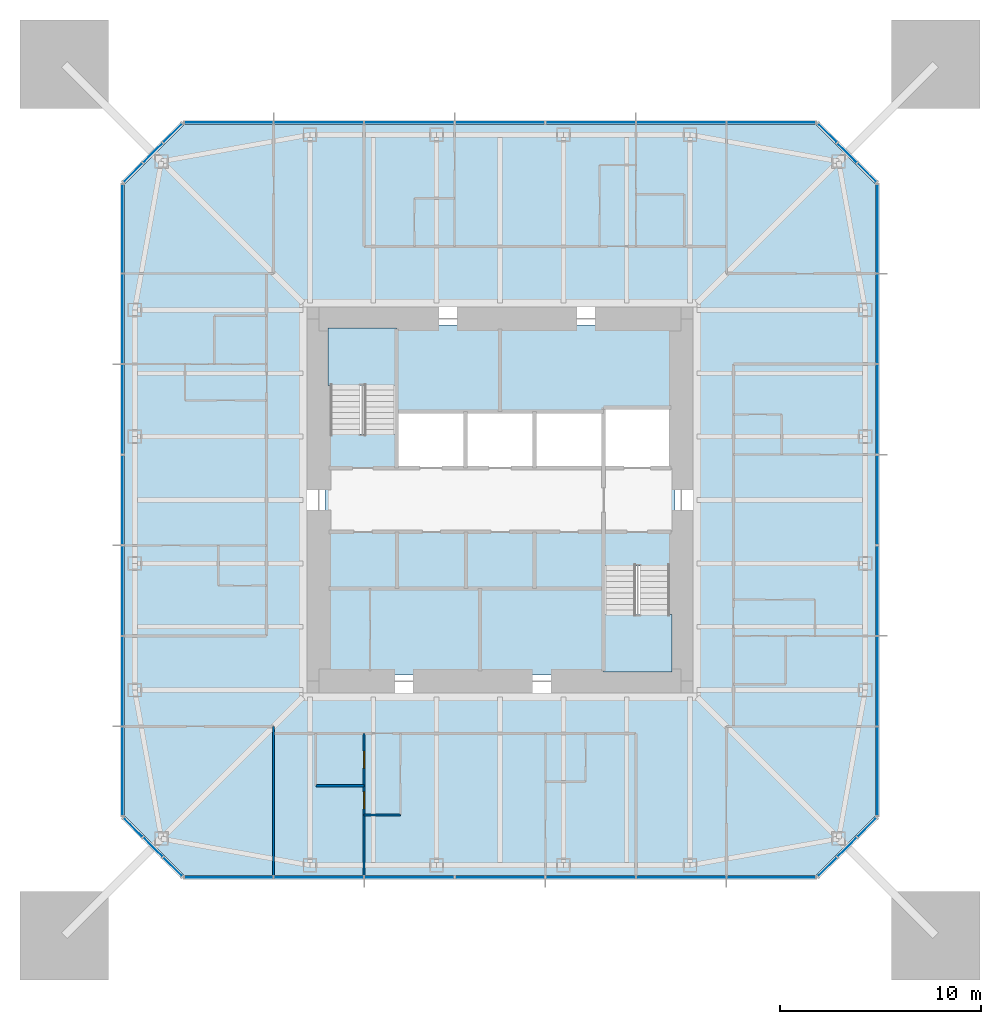
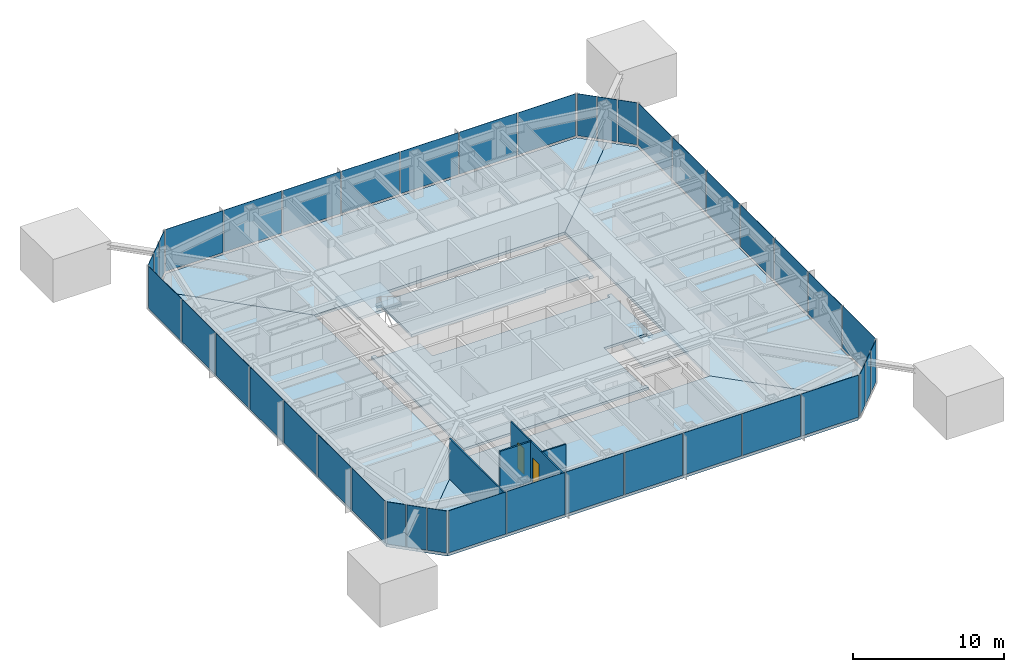
# One storey, part 5 of 11: 40 plates, 8 slabs, 4 walls, 2 doors, 2 openings, 10 elements without a shape of their own.
"""IFC4 building model written with IfcOpenShell, lengths in metres."""

from ifc_helpers import new_model, si_unit, direction, frame, frame_2d, origin, origin_2d, place, context, subcontext, project, spatial, polyline, rectangle, outline, extrude, material, layer, layer_set, constituent, constituent_set, type_object, element, fill, aggregate, save


model = new_model("IFC4")

# Units and contexts
model_context = context("Model", 3, precision=1e-05, world=origin(), true_north=direction((0.0, 1.0)))
body_context = subcontext(model_context, "Body", "Model", "MODEL_VIEW")
ifc_project = project(units=[si_unit("LENGTHUNIT", "METRE"), si_unit("AREAUNIT", "SQUARE_METRE"), si_unit("VOLUMEUNIT", "CUBIC_METRE"), si_unit("PLANEANGLEUNIT", "RADIAN"), si_unit("MASSUNIT", "GRAM", prefix="KILO")], contexts=[model_context])

# Site, building, storey
site_placement = place(None, origin())
site = spatial("IfcSite", under=ifc_project, at=site_placement, CompositionType="ELEMENT")
building_placement = place(site_placement, origin())
building = spatial("IfcBuilding", under=site, at=building_placement, Name="Iwan Alto Co-Living Towers", CompositionType="ELEMENT")
storey_placement = place(building_placement, frame((0.0, 0.0, 181.0)))
storey = spatial("IfcBuildingStorey", under=building, at=storey_placement, Name="L49", CompositionType="ELEMENT", Elevation=181.0)

# Slabs
ifc_material_1 = material(Name="Concrete f'c 30 MPa", Category="concrete")
ifc_layer_1 = layer(ifc_material_1, 0.199951171875)
ifc_layer_set_1 = layer_set([ifc_layer_1], Name="CORE FLOOR SLAB 200")
slab_type_1 = type_object("IfcSlabType", Name="CORE FLOOR SLAB 200", PredefinedType="FLOOR", material=ifc_layer_set_1)
slab_1_placement = place(storey_placement, frame((0.0, 0.0, -0.199951171875)))
element("IfcSlab", 1, at=slab_1_placement, inside=storey, type_object=slab_type_1, Name="T1 core floor L49", PredefinedType="FLOOR", context=body_context, shape_type="SweptSolid", body=[
    extrude(outline(polyline([(5.14990234375, -8.39990234375), (5.4599609375, -8.39990234375), (5.4599609375, -8.699951171875), (-8.699951171875, -8.699951171875), (-8.699951171875, 3.580078125), (-8.39990234375, 3.580078125), (-8.39990234375, 3.27001953125), (-5.14990234375, 3.27001953125), (-5.14990234375, 1.60009765625), (-1.717041015625, 1.60009765625), (1.717041015625, 1.60009765625), (5.14990234375, 1.60009765625), (8.39990234375, 1.60009765625), (8.39990234375, 1.909912109375), (8.699951171875, 1.909912109375), (8.699951171875, -3.580078125), (8.39990234375, -3.580078125), (8.39990234375, -3.27001953125), (5.14990234375, -3.27001953125), (5.14990234375, -8.39990234375)])), origin(), (0.0, 0.0, 1.0), 0.199951171875),
])
slab_2_placement = place(storey_placement, frame((0.0, 0.0, -0.199951171875)))
element("IfcSlab", 2, at=slab_2_placement, inside=storey, type_object=slab_type_1, Name="T1 core floor L49", PredefinedType="FLOOR", context=body_context, shape_type="SweptSolid", body=[
    extrude(outline(polyline([(1.717041015625, 4.39990234375), (-1.717041015625, 4.39990234375), (-5.14990234375, 4.39990234375), (-5.14990234375, 8.39990234375), (-5.4599609375, 8.39990234375), (-5.4599609375, 8.699951171875), (8.699951171875, 8.699951171875), (8.699951171875, 4.2900390625), (8.39990234375, 4.2900390625), (8.39990234375, 4.60009765625), (5.14990234375, 4.60009765625), (5.14990234375, 4.39990234375), (1.717041015625, 4.39990234375)])), origin(), (0.0, 0.0, 1.0), 0.199951171875),
])

# Curtain wall, plates
ifc_material_2 = material(Name="Bronze aluminium unitised frame", Category="aluminium")
curtain_wall_type_1 = type_object("IfcCurtainWallType", Name="CURTAIN WALL CW-A", PredefinedType="NOTDEFINED", material=ifc_material_2)
curtain_wall_1_placement = place(storey_placement, origin())
curtain_wall_1 = element("IfcCurtainWall", 3, at=curtain_wall_1_placement, inside=storey, type_object=curtain_wall_type_1, Name="T1 curtain wall S L49", PredefinedType="NOTDEFINED")
ifc_material_3 = material(Name="Bronze-tinted insulating glass", Category="glass")
ifc_layer_2 = layer(ifc_material_3, 0.031982421875)
ifc_layer_set_2 = layer_set([ifc_layer_2], Name="CW-A PANEL TINTED IGU 32")
plate_type_1 = type_object("IfcPlateType", Name="CW-A PANEL TINTED IGU 32", PredefinedType="CURTAIN_PANEL", material=ifc_layer_set_2)
plate_1_placement = place(storey_placement, frame((-13.47998046875, -18.75, 0.10009765625), z_axis=(0.0, 0.0, 1.0), x_axis=(1.0, 0.0, 0.0)))
plate_1 = element("IfcPlate", 4, at=plate_1_placement, type_object=plate_type_1, Name="CW-A panel 1.1", PredefinedType="CURTAIN_PANEL", context=body_context, shape_type="SweptSolid", body=[
    extrude(rectangle(XDim=4.3798828125, YDim=0.031982421875, at=origin_2d()), origin(), (0.0, 0.0, 1.0), 3.39990234375),
])
plate_2_placement = place(storey_placement, frame((-9.0, -18.75, 0.10009765625), z_axis=(0.0, 0.0, 1.0), x_axis=(1.0, 0.0, 0.0)))
plate_2 = element("IfcPlate", 5, at=plate_2_placement, type_object=plate_type_1, Name="CW-A panel 2.1", PredefinedType="CURTAIN_PANEL", context=body_context, shape_type="SweptSolid", body=[
    extrude(rectangle(XDim=4.419921875, YDim=0.031982421875, at=origin_2d()), origin(), (0.0, 0.0, 1.0), 3.39990234375),
])
plate_3_placement = place(storey_placement, frame((-4.5, -18.75, 0.10009765625), z_axis=(0.0, 0.0, 1.0), x_axis=(1.0, 0.0, 0.0)))
plate_3 = element("IfcPlate", 6, at=plate_3_placement, type_object=plate_type_1, Name="CW-A panel 3.1", PredefinedType="CURTAIN_PANEL", context=body_context, shape_type="SweptSolid", body=[
    extrude(rectangle(XDim=4.419921875, YDim=0.031982421875, at=origin_2d()), origin(), (0.0, 0.0, 1.0), 3.39990234375),
])
plate_4_placement = place(storey_placement, frame((0.0, -18.75, 0.10009765625), z_axis=(0.0, 0.0, 1.0), x_axis=(1.0, 0.0, 0.0)))
plate_4 = element("IfcPlate", 7, at=plate_4_placement, type_object=plate_type_1, Name="CW-A panel 4.1", PredefinedType="CURTAIN_PANEL", context=body_context, shape_type="SweptSolid", body=[
    extrude(rectangle(XDim=4.419921875, YDim=0.031982421875, at=origin_2d()), origin(), (0.0, 0.0, 1.0), 3.39990234375),
])
plate_5_placement = place(storey_placement, frame((4.5, -18.75, 0.10009765625), z_axis=(0.0, 0.0, 1.0), x_axis=(1.0, 0.0, 0.0)))
plate_5 = element("IfcPlate", 8, at=plate_5_placement, type_object=plate_type_1, Name="CW-A panel 5.1", PredefinedType="CURTAIN_PANEL", context=body_context, shape_type="SweptSolid", body=[
    extrude(rectangle(XDim=4.419921875, YDim=0.031982421875, at=origin_2d()), origin(), (0.0, 0.0, 1.0), 3.39990234375),
])
plate_6_placement = place(storey_placement, frame((9.0, -18.75, 0.10009765625), z_axis=(0.0, 0.0, 1.0), x_axis=(1.0, 0.0, 0.0)))
plate_6 = element("IfcPlate", 9, at=plate_6_placement, type_object=plate_type_1, Name="CW-A panel 6.1", PredefinedType="CURTAIN_PANEL", context=body_context, shape_type="SweptSolid", body=[
    extrude(rectangle(XDim=4.419921875, YDim=0.031982421875, at=origin_2d()), origin(), (0.0, 0.0, 1.0), 3.39990234375),
])
plate_7_placement = place(storey_placement, frame((13.47998046875, -18.75, 0.10009765625), z_axis=(0.0, 0.0, 1.0), x_axis=(1.0, 0.0, 0.0)))
plate_7 = element("IfcPlate", 10, at=plate_7_placement, type_object=plate_type_1, Name="CW-A panel 7.1", PredefinedType="CURTAIN_PANEL", context=body_context, shape_type="SweptSolid", body=[
    extrude(rectangle(XDim=4.3798828125, YDim=0.031982421875, at=origin_2d()), origin(), (0.0, 0.0, 1.0), 3.39990234375),
])
aggregate(curtain_wall_1, [plate_1, plate_2, plate_3, plate_4, plate_5, plate_6, plate_7])

curtain_wall_2_placement = place(storey_placement, origin())
curtain_wall_2 = element("IfcCurtainWall", 11, at=curtain_wall_2_placement, inside=storey, type_object=curtain_wall_type_1, Name="T1 curtain wall E L49", PredefinedType="NOTDEFINED")
plate_8_placement = place(storey_placement, frame((18.75, -13.47998046875, 0.10009765625), z_axis=(0.0, 0.0, 1.0), x_axis=(0.0, 1.0, 0.0)))
plate_8 = element("IfcPlate", 12, at=plate_8_placement, type_object=plate_type_1, Name="CW-A panel 1.1", PredefinedType="CURTAIN_PANEL", context=body_context, shape_type="SweptSolid", body=[
    extrude(rectangle(XDim=4.3798828125, YDim=0.031982421875, at=origin_2d()), origin(), (0.0, 0.0, 1.0), 3.39990234375),
])
plate_9_placement = place(storey_placement, frame((18.75, -9.0, 0.10009765625), z_axis=(0.0, 0.0, 1.0), x_axis=(0.0, 1.0, 0.0)))
plate_9 = element("IfcPlate", 13, at=plate_9_placement, type_object=plate_type_1, Name="CW-A panel 2.1", PredefinedType="CURTAIN_PANEL", context=body_context, shape_type="SweptSolid", body=[
    extrude(rectangle(XDim=4.419921875, YDim=0.031982421875, at=origin_2d()), origin(), (0.0, 0.0, 1.0), 3.39990234375),
])
plate_10_placement = place(storey_placement, frame((18.75, -4.5, 0.10009765625), z_axis=(0.0, 0.0, 1.0), x_axis=(0.0, 1.0, 0.0)))
plate_10 = element("IfcPlate", 14, at=plate_10_placement, type_object=plate_type_1, Name="CW-A panel 3.1", PredefinedType="CURTAIN_PANEL", context=body_context, shape_type="SweptSolid", body=[
    extrude(rectangle(XDim=4.419921875, YDim=0.031982421875, at=origin_2d()), origin(), (0.0, 0.0, 1.0), 3.39990234375),
])
plate_11_placement = place(storey_placement, frame((18.75, 0.0, 0.10009765625), z_axis=(0.0, 0.0, 1.0), x_axis=(0.0, 1.0, 0.0)))
plate_11 = element("IfcPlate", 15, at=plate_11_placement, type_object=plate_type_1, Name="CW-A panel 4.1", PredefinedType="CURTAIN_PANEL", context=body_context, shape_type="SweptSolid", body=[
    extrude(rectangle(XDim=4.419921875, YDim=0.031982421875, at=origin_2d()), origin(), (0.0, 0.0, 1.0), 3.39990234375),
])
plate_12_placement = place(storey_placement, frame((18.75, 4.5, 0.10009765625), z_axis=(0.0, 0.0, 1.0), x_axis=(0.0, 1.0, 0.0)))
plate_12 = element("IfcPlate", 16, at=plate_12_placement, type_object=plate_type_1, Name="CW-A panel 5.1", PredefinedType="CURTAIN_PANEL", context=body_context, shape_type="SweptSolid", body=[
    extrude(rectangle(XDim=4.419921875, YDim=0.031982421875, at=origin_2d()), origin(), (0.0, 0.0, 1.0), 3.39990234375),
])
plate_13_placement = place(storey_placement, frame((18.75, 9.0, 0.10009765625), z_axis=(0.0, 0.0, 1.0), x_axis=(0.0, 1.0, 0.0)))
plate_13 = element("IfcPlate", 17, at=plate_13_placement, type_object=plate_type_1, Name="CW-A panel 6.1", PredefinedType="CURTAIN_PANEL", context=body_context, shape_type="SweptSolid", body=[
    extrude(rectangle(XDim=4.419921875, YDim=0.031982421875, at=origin_2d()), origin(), (0.0, 0.0, 1.0), 3.39990234375),
])
plate_14_placement = place(storey_placement, frame((18.75, 13.47998046875, 0.10009765625), z_axis=(0.0, 0.0, 1.0), x_axis=(0.0, 1.0, 0.0)))
plate_14 = element("IfcPlate", 18, at=plate_14_placement, type_object=plate_type_1, Name="CW-A panel 7.1", PredefinedType="CURTAIN_PANEL", context=body_context, shape_type="SweptSolid", body=[
    extrude(rectangle(XDim=4.3798828125, YDim=0.031982421875, at=origin_2d()), origin(), (0.0, 0.0, 1.0), 3.39990234375),
])
aggregate(curtain_wall_2, [plate_8, plate_9, plate_10, plate_11, plate_12, plate_13, plate_14])

curtain_wall_3_placement = place(storey_placement, origin())
curtain_wall_3 = element("IfcCurtainWall", 19, at=curtain_wall_3_placement, inside=storey, type_object=curtain_wall_type_1, Name="T1 curtain wall N L49", PredefinedType="NOTDEFINED")
plate_15_placement = place(storey_placement, frame((13.47998046875, 18.75, 0.10009765625), z_axis=(0.0, 0.0, 1.0), x_axis=(-1.0, 0.0, 0.0)))
plate_15 = element("IfcPlate", 20, at=plate_15_placement, type_object=plate_type_1, Name="CW-A panel 1.1", PredefinedType="CURTAIN_PANEL", context=body_context, shape_type="SweptSolid", body=[
    extrude(rectangle(XDim=4.3798828125, YDim=0.031982421875, at=origin_2d()), origin(), (0.0, 0.0, 1.0), 3.39990234375),
])
plate_16_placement = place(storey_placement, frame((9.0, 18.75, 0.10009765625), z_axis=(0.0, 0.0, 1.0), x_axis=(-1.0, 0.0, 0.0)))
plate_16 = element("IfcPlate", 21, at=plate_16_placement, type_object=plate_type_1, Name="CW-A panel 2.1", PredefinedType="CURTAIN_PANEL", context=body_context, shape_type="SweptSolid", body=[
    extrude(rectangle(XDim=4.419921875, YDim=0.031982421875, at=origin_2d()), origin(), (0.0, 0.0, 1.0), 3.39990234375),
])
plate_17_placement = place(storey_placement, frame((4.5, 18.75, 0.10009765625), z_axis=(0.0, 0.0, 1.0), x_axis=(-1.0, 0.0, 0.0)))
plate_17 = element("IfcPlate", 22, at=plate_17_placement, type_object=plate_type_1, Name="CW-A panel 3.1", PredefinedType="CURTAIN_PANEL", context=body_context, shape_type="SweptSolid", body=[
    extrude(rectangle(XDim=4.419921875, YDim=0.031982421875, at=origin_2d()), origin(), (0.0, 0.0, 1.0), 3.39990234375),
])
plate_18_placement = place(storey_placement, frame((0.0, 18.75, 0.10009765625), z_axis=(0.0, 0.0, 1.0), x_axis=(-1.0, 0.0, 0.0)))
plate_18 = element("IfcPlate", 23, at=plate_18_placement, type_object=plate_type_1, Name="CW-A panel 4.1", PredefinedType="CURTAIN_PANEL", context=body_context, shape_type="SweptSolid", body=[
    extrude(rectangle(XDim=4.419921875, YDim=0.031982421875, at=origin_2d()), origin(), (0.0, 0.0, 1.0), 3.39990234375),
])
plate_19_placement = place(storey_placement, frame((-4.5, 18.75, 0.10009765625), z_axis=(0.0, 0.0, 1.0), x_axis=(-1.0, 0.0, 0.0)))
plate_19 = element("IfcPlate", 24, at=plate_19_placement, type_object=plate_type_1, Name="CW-A panel 5.1", PredefinedType="CURTAIN_PANEL", context=body_context, shape_type="SweptSolid", body=[
    extrude(rectangle(XDim=4.419921875, YDim=0.031982421875, at=origin_2d()), origin(), (0.0, 0.0, 1.0), 3.39990234375),
])
plate_20_placement = place(storey_placement, frame((-9.0, 18.75, 0.10009765625), z_axis=(0.0, 0.0, 1.0), x_axis=(-1.0, 0.0, 0.0)))
plate_20 = element("IfcPlate", 25, at=plate_20_placement, type_object=plate_type_1, Name="CW-A panel 6.1", PredefinedType="CURTAIN_PANEL", context=body_context, shape_type="SweptSolid", body=[
    extrude(rectangle(XDim=4.419921875, YDim=0.031982421875, at=origin_2d()), origin(), (0.0, 0.0, 1.0), 3.39990234375),
])
plate_21_placement = place(storey_placement, frame((-13.47998046875, 18.75, 0.10009765625), z_axis=(0.0, 0.0, 1.0), x_axis=(-1.0, 0.0, 0.0)))
plate_21 = element("IfcPlate", 26, at=plate_21_placement, type_object=plate_type_1, Name="CW-A panel 7.1", PredefinedType="CURTAIN_PANEL", context=body_context, shape_type="SweptSolid", body=[
    extrude(rectangle(XDim=4.3798828125, YDim=0.031982421875, at=origin_2d()), origin(), (0.0, 0.0, 1.0), 3.39990234375),
])
aggregate(curtain_wall_3, [plate_15, plate_16, plate_17, plate_18, plate_19, plate_20, plate_21])

curtain_wall_4_placement = place(storey_placement, origin())
curtain_wall_4 = element("IfcCurtainWall", 27, at=curtain_wall_4_placement, inside=storey, type_object=curtain_wall_type_1, Name="T1 curtain wall W L49", PredefinedType="NOTDEFINED")
plate_22_placement = place(storey_placement, frame((-18.75, 13.47998046875, 0.10009765625), z_axis=(0.0, 0.0, 1.0), x_axis=(0.0, -1.0, 0.0)))
plate_22 = element("IfcPlate", 28, at=plate_22_placement, type_object=plate_type_1, Name="CW-A panel 1.1", PredefinedType="CURTAIN_PANEL", context=body_context, shape_type="SweptSolid", body=[
    extrude(rectangle(XDim=4.3798828125, YDim=0.031982421875, at=origin_2d()), origin(), (0.0, 0.0, 1.0), 3.39990234375),
])
plate_23_placement = place(storey_placement, frame((-18.75, 9.0, 0.10009765625), z_axis=(0.0, 0.0, 1.0), x_axis=(0.0, -1.0, 0.0)))
plate_23 = element("IfcPlate", 29, at=plate_23_placement, type_object=plate_type_1, Name="CW-A panel 2.1", PredefinedType="CURTAIN_PANEL", context=body_context, shape_type="SweptSolid", body=[
    extrude(rectangle(XDim=4.419921875, YDim=0.031982421875, at=origin_2d()), origin(), (0.0, 0.0, 1.0), 3.39990234375),
])
plate_24_placement = place(storey_placement, frame((-18.75, 4.5, 0.10009765625), z_axis=(0.0, 0.0, 1.0), x_axis=(0.0, -1.0, 0.0)))
plate_24 = element("IfcPlate", 30, at=plate_24_placement, type_object=plate_type_1, Name="CW-A panel 3.1", PredefinedType="CURTAIN_PANEL", context=body_context, shape_type="SweptSolid", body=[
    extrude(rectangle(XDim=4.419921875, YDim=0.031982421875, at=origin_2d()), origin(), (0.0, 0.0, 1.0), 3.39990234375),
])
plate_25_placement = place(storey_placement, frame((-18.75, 0.0, 0.10009765625), z_axis=(0.0, 0.0, 1.0), x_axis=(0.0, -1.0, 0.0)))
plate_25 = element("IfcPlate", 31, at=plate_25_placement, type_object=plate_type_1, Name="CW-A panel 4.1", PredefinedType="CURTAIN_PANEL", context=body_context, shape_type="SweptSolid", body=[
    extrude(rectangle(XDim=4.419921875, YDim=0.031982421875, at=origin_2d()), origin(), (0.0, 0.0, 1.0), 3.39990234375),
])
plate_26_placement = place(storey_placement, frame((-18.75, -4.5, 0.10009765625), z_axis=(0.0, 0.0, 1.0), x_axis=(0.0, -1.0, 0.0)))
plate_26 = element("IfcPlate", 32, at=plate_26_placement, type_object=plate_type_1, Name="CW-A panel 5.1", PredefinedType="CURTAIN_PANEL", context=body_context, shape_type="SweptSolid", body=[
    extrude(rectangle(XDim=4.419921875, YDim=0.031982421875, at=origin_2d()), origin(), (0.0, 0.0, 1.0), 3.39990234375),
])
plate_27_placement = place(storey_placement, frame((-18.75, -9.0, 0.10009765625), z_axis=(0.0, 0.0, 1.0), x_axis=(0.0, -1.0, 0.0)))
plate_27 = element("IfcPlate", 33, at=plate_27_placement, type_object=plate_type_1, Name="CW-A panel 6.1", PredefinedType="CURTAIN_PANEL", context=body_context, shape_type="SweptSolid", body=[
    extrude(rectangle(XDim=4.419921875, YDim=0.031982421875, at=origin_2d()), origin(), (0.0, 0.0, 1.0), 3.39990234375),
])
plate_28_placement = place(storey_placement, frame((-18.75, -13.47998046875, 0.10009765625), z_axis=(0.0, 0.0, 1.0), x_axis=(0.0, -1.0, 0.0)))
plate_28 = element("IfcPlate", 34, at=plate_28_placement, type_object=plate_type_1, Name="CW-A panel 7.1", PredefinedType="CURTAIN_PANEL", context=body_context, shape_type="SweptSolid", body=[
    extrude(rectangle(XDim=4.3798828125, YDim=0.031982421875, at=origin_2d()), origin(), (0.0, 0.0, 1.0), 3.39990234375),
])
aggregate(curtain_wall_4, [plate_22, plate_23, plate_24, plate_25, plate_26, plate_27, plate_28])

ifc_material_4 = material(Name="Bronze aluminium unitised frame", Category="aluminium")
curtain_wall_type_2 = type_object("IfcCurtainWallType", Name="CURTAIN WALL CW-B", PredefinedType="NOTDEFINED", material=ifc_material_4)
curtain_wall_5_placement = place(storey_placement, origin())
curtain_wall_5 = element("IfcCurtainWall", 35, at=curtain_wall_5_placement, inside=storey, type_object=curtain_wall_type_2, Name="T1 chamfer curtain wall SE L49", PredefinedType="NOTDEFINED")
ifc_material_5 = material(Name="Bronze-tinted insulating glass", Category="glass")
ifc_layer_3 = layer(ifc_material_5, 0.031982421875)
ifc_layer_set_3 = layer_set([ifc_layer_3], Name="CW-B PANEL TINTED IGU 32")
plate_type_2 = type_object("IfcPlateType", Name="CW-B PANEL TINTED IGU 32", PredefinedType="CURTAIN_PANEL", material=ifc_layer_set_3)
plate_29_placement = place(storey_placement, frame((16.26416015625, -18.23583984375, 0.10009765625), z_axis=(0.0, 0.0, 1.0), x_axis=(0.707106781187, 0.707106781187, 0.0)))
plate_29 = element("IfcPlate", 36, at=plate_29_placement, type_object=plate_type_2, Name="CW-B panel 1.1", PredefinedType="CURTAIN_PANEL", context=body_context, shape_type="SweptSolid", body=[
    extrude(rectangle(XDim=1.294189453125, YDim=0.031982421875, at=origin_2d()), origin(), (0.0, 0.0, 1.0), 3.39990234375),
])
plate_30_placement = place(storey_placement, frame((17.25, -17.25, 0.10009765625), z_axis=(0.0, 0.0, 1.0), x_axis=(0.707106781187, 0.707106781187, 0.0)))
plate_30 = element("IfcPlate", 37, at=plate_30_placement, type_object=plate_type_2, Name="CW-B panel 2.1", PredefinedType="CURTAIN_PANEL", context=body_context, shape_type="SweptSolid", body=[
    extrude(rectangle(XDim=1.334228515625, YDim=0.031982421875, at=origin_2d()), origin(), (0.0, 0.0, 1.0), 3.39990234375),
])
plate_31_placement = place(storey_placement, frame((18.23583984375, -16.26416015625, 0.10009765625), z_axis=(0.0, 0.0, 1.0), x_axis=(0.707106781187, 0.707106781187, 0.0)))
plate_31 = element("IfcPlate", 38, at=plate_31_placement, type_object=plate_type_2, Name="CW-B panel 3.1", PredefinedType="CURTAIN_PANEL", context=body_context, shape_type="SweptSolid", body=[
    extrude(rectangle(XDim=1.294189453125, YDim=0.031982421875, at=origin_2d()), origin(), (0.0, 0.0, 1.0), 3.39990234375),
])
aggregate(curtain_wall_5, [plate_29, plate_30, plate_31])

curtain_wall_6_placement = place(storey_placement, origin())
curtain_wall_6 = element("IfcCurtainWall", 39, at=curtain_wall_6_placement, inside=storey, type_object=curtain_wall_type_2, Name="T1 chamfer curtain wall NE L49", PredefinedType="NOTDEFINED")
plate_32_placement = place(storey_placement, frame((18.23583984375, 16.26416015625, 0.10009765625), z_axis=(0.0, 0.0, 1.0), x_axis=(-0.707106781187, 0.707106781187, 0.0)))
plate_32 = element("IfcPlate", 40, at=plate_32_placement, type_object=plate_type_2, Name="CW-B panel 1.1", PredefinedType="CURTAIN_PANEL", context=body_context, shape_type="SweptSolid", body=[
    extrude(rectangle(XDim=1.294189453125, YDim=0.031982421875, at=origin_2d()), origin(), (0.0, 0.0, 1.0), 3.39990234375),
])
plate_33_placement = place(storey_placement, frame((17.25, 17.25, 0.10009765625), z_axis=(0.0, 0.0, 1.0), x_axis=(-0.707106781187, 0.707106781187, 0.0)))
plate_33 = element("IfcPlate", 41, at=plate_33_placement, type_object=plate_type_2, Name="CW-B panel 2.1", PredefinedType="CURTAIN_PANEL", context=body_context, shape_type="SweptSolid", body=[
    extrude(rectangle(XDim=1.334228515625, YDim=0.031982421875, at=origin_2d()), origin(), (0.0, 0.0, 1.0), 3.39990234375),
])
plate_34_placement = place(storey_placement, frame((16.26416015625, 18.23583984375, 0.10009765625), z_axis=(0.0, 0.0, 1.0), x_axis=(-0.707106781187, 0.707106781187, 0.0)))
plate_34 = element("IfcPlate", 42, at=plate_34_placement, type_object=plate_type_2, Name="CW-B panel 3.1", PredefinedType="CURTAIN_PANEL", context=body_context, shape_type="SweptSolid", body=[
    extrude(rectangle(XDim=1.294189453125, YDim=0.031982421875, at=origin_2d()), origin(), (0.0, 0.0, 1.0), 3.39990234375),
])
aggregate(curtain_wall_6, [plate_32, plate_33, plate_34])

curtain_wall_7_placement = place(storey_placement, origin())
curtain_wall_7 = element("IfcCurtainWall", 43, at=curtain_wall_7_placement, inside=storey, type_object=curtain_wall_type_2, Name="T1 chamfer curtain wall NW L49", PredefinedType="NOTDEFINED")
plate_35_placement = place(storey_placement, frame((-16.26416015625, 18.23583984375, 0.10009765625), z_axis=(0.0, 0.0, 1.0), x_axis=(-0.707106781187, -0.707106781187, 0.0)))
plate_35 = element("IfcPlate", 44, at=plate_35_placement, type_object=plate_type_2, Name="CW-B panel 1.1", PredefinedType="CURTAIN_PANEL", context=body_context, shape_type="SweptSolid", body=[
    extrude(rectangle(XDim=1.294189453125, YDim=0.031982421875, at=origin_2d()), origin(), (0.0, 0.0, 1.0), 3.39990234375),
])
plate_36_placement = place(storey_placement, frame((-17.25, 17.25, 0.10009765625), z_axis=(0.0, 0.0, 1.0), x_axis=(-0.707106781187, -0.707106781187, 0.0)))
plate_36 = element("IfcPlate", 45, at=plate_36_placement, type_object=plate_type_2, Name="CW-B panel 2.1", PredefinedType="CURTAIN_PANEL", context=body_context, shape_type="SweptSolid", body=[
    extrude(rectangle(XDim=1.334228515625, YDim=0.031982421875, at=origin_2d()), origin(), (0.0, 0.0, 1.0), 3.39990234375),
])
plate_37_placement = place(storey_placement, frame((-18.23583984375, 16.26416015625, 0.10009765625), z_axis=(0.0, 0.0, 1.0), x_axis=(-0.707106781187, -0.707106781187, 0.0)))
plate_37 = element("IfcPlate", 46, at=plate_37_placement, type_object=plate_type_2, Name="CW-B panel 3.1", PredefinedType="CURTAIN_PANEL", context=body_context, shape_type="SweptSolid", body=[
    extrude(rectangle(XDim=1.294189453125, YDim=0.031982421875, at=origin_2d()), origin(), (0.0, 0.0, 1.0), 3.39990234375),
])
aggregate(curtain_wall_7, [plate_35, plate_36, plate_37])

curtain_wall_8_placement = place(storey_placement, origin())
curtain_wall_8 = element("IfcCurtainWall", 47, at=curtain_wall_8_placement, inside=storey, type_object=curtain_wall_type_2, Name="T1 chamfer curtain wall SW L49", PredefinedType="NOTDEFINED")
plate_38_placement = place(storey_placement, frame((-18.23583984375, -16.26416015625, 0.10009765625), z_axis=(0.0, 0.0, 1.0), x_axis=(0.707106781187, -0.707106781187, 0.0)))
plate_38 = element("IfcPlate", 48, at=plate_38_placement, type_object=plate_type_2, Name="CW-B panel 1.1", PredefinedType="CURTAIN_PANEL", context=body_context, shape_type="SweptSolid", body=[
    extrude(rectangle(XDim=1.294189453125, YDim=0.031982421875, at=origin_2d()), origin(), (0.0, 0.0, 1.0), 3.39990234375),
])
plate_39_placement = place(storey_placement, frame((-17.25, -17.25, 0.10009765625), z_axis=(0.0, 0.0, 1.0), x_axis=(0.707106781187, -0.707106781187, 0.0)))
plate_39 = element("IfcPlate", 49, at=plate_39_placement, type_object=plate_type_2, Name="CW-B panel 2.1", PredefinedType="CURTAIN_PANEL", context=body_context, shape_type="SweptSolid", body=[
    extrude(rectangle(XDim=1.334228515625, YDim=0.031982421875, at=origin_2d()), origin(), (0.0, 0.0, 1.0), 3.39990234375),
])
plate_40_placement = place(storey_placement, frame((-16.26416015625, -18.23583984375, 0.10009765625), z_axis=(0.0, 0.0, 1.0), x_axis=(0.707106781187, -0.707106781187, 0.0)))
plate_40 = element("IfcPlate", 50, at=plate_40_placement, type_object=plate_type_2, Name="CW-B panel 3.1", PredefinedType="CURTAIN_PANEL", context=body_context, shape_type="SweptSolid", body=[
    extrude(rectangle(XDim=1.294189453125, YDim=0.031982421875, at=origin_2d()), origin(), (0.0, 0.0, 1.0), 3.39990234375),
])
aggregate(curtain_wall_8, [plate_38, plate_39, plate_40])

# Stair, slab
ifc_material_6 = material(Name="Steel ASTM A36", Category="steel")
ifc_constituent_1 = constituent(ifc_material_6, Name="Stringers", Category="LoadBearing")
ifc_material_7 = material(Name="Concrete f'c 30 MPa", Category="concrete")
ifc_constituent_2 = constituent(ifc_material_7, Name="Tread fill", Category="Finish")
ifc_constituent_set = constituent_set(constituents=[ifc_constituent_1, ifc_constituent_2], Name="STAIR 3500 TWO-FLIGHT T1 CORE")
stair_type = type_object("IfcStairType", Name="STAIR 3500 TWO-FLIGHT T1 CORE", PredefinedType="HALF_TURN_STAIR", material=ifc_constituent_set)
stair_1_placement = place(storey_placement, origin())
stair_1 = element("IfcStair", 51, at=stair_1_placement, inside=storey, type_object=stair_type, Name="Stair T1-S1 L49 to L50", PredefinedType="HALF_TURN_STAIR")
ifc_material_8 = material(Name="Concrete f'c 30 MPa", Category="concrete")
ifc_layer_4 = layer(ifc_material_8, 0.199951171875)
ifc_layer_set_4 = layer_set([ifc_layer_4], Name="STAIR LANDING 200")
slab_type_2 = type_object("IfcSlabType", Name="STAIR LANDING 200", PredefinedType="LANDING", material=ifc_layer_set_4)
slab_3_placement = place(storey_placement, frame((0.0, 0.0, 1.550048828125)))
slab_3 = element("IfcSlab", 52, at=slab_3_placement, type_object=slab_type_2, Name="T1-S1 landing 1", PredefinedType="LANDING", context=body_context, shape_type="SweptSolid", body=[
    extrude(outline(polyline([(-8.550048828125, 5.68994140625), (-8.550048828125, 8.550048828125), (-5.14990234375, 8.550048828125), (-5.14990234375, 5.68994140625), (-8.550048828125, 5.68994140625)])), origin(), (0.0, 0.0, 1.0), 0.199951171875),
])
aggregate(stair_1, [slab_3])

stair_2_placement = place(storey_placement, origin())
stair_2 = element("IfcStair", 53, at=stair_2_placement, inside=storey, type_object=stair_type, Name="Stair T1-S2 L49 to L50", PredefinedType="HALF_TURN_STAIR")
slab_4_placement = place(storey_placement, frame((0.0, 0.0, 1.550048828125)))
slab_4 = element("IfcSlab", 54, at=slab_4_placement, type_object=slab_type_2, Name="T1-S2 landing 1", PredefinedType="LANDING", context=body_context, shape_type="SweptSolid", body=[
    extrude(outline(polyline([(5.14990234375, -5.68994140625), (5.14990234375, -8.550048828125), (8.550048828125, -8.550048828125), (8.550048828125, -5.68994140625), (5.14990234375, -5.68994140625)])), origin(), (0.0, 0.0, 1.0), 0.199951171875),
])
aggregate(stair_2, [slab_4])

# Slabs
ifc_material_9 = material(Name="Concrete f'c 30 MPa", Category="concrete")
ifc_layer_5 = layer(ifc_material_9, 0.22998046875)
ifc_layer_set_5 = layer_set([ifc_layer_5], Name="T1 FLOOR SLAB 230")
slab_type_3 = type_object("IfcSlabType", Name="T1 FLOOR SLAB 230", PredefinedType="FLOOR", material=ifc_layer_set_5)
slab_5_placement = place(storey_placement, frame((0.0, 0.0, -0.22998046875)))
element("IfcSlab", 55, at=slab_5_placement, inside=storey, type_object=slab_type_3, Name="T1 floor slab L49 S pour", PredefinedType="FLOOR", context=body_context, shape_type="SweptSolid", body=[
    extrude(outline(polyline([(15.69140625, -18.64990234375), (-15.69140625, -18.64990234375), (-17.170654296875, -17.170654296875), (-9.60009765625, -9.60009765625), (9.60009765625, -9.60009765625), (17.170654296875, -17.170654296875), (15.69140625, -18.64990234375)])), origin(), (0.0, 0.0, 1.0), 0.22998046875),
])
slab_6_placement = place(storey_placement, frame((0.0, 0.0, -0.22998046875)))
element("IfcSlab", 56, at=slab_6_placement, inside=storey, type_object=slab_type_3, Name="T1 floor slab L49 E pour", PredefinedType="FLOOR", context=body_context, shape_type="SweptSolid", body=[
    extrude(outline(polyline([(18.64990234375, 15.69140625), (18.64990234375, -15.69140625), (17.170654296875, -17.170654296875), (9.60009765625, -9.60009765625), (9.60009765625, 9.60009765625), (17.170654296875, 17.170654296875), (18.64990234375, 15.69140625)])), origin(), (0.0, 0.0, 1.0), 0.22998046875),
])
slab_7_placement = place(storey_placement, frame((0.0, 0.0, -0.22998046875)))
element("IfcSlab", 57, at=slab_7_placement, inside=storey, type_object=slab_type_3, Name="T1 floor slab L49 N pour", PredefinedType="FLOOR", context=body_context, shape_type="SweptSolid", body=[
    extrude(outline(polyline([(-15.69140625, 18.64990234375), (15.69140625, 18.64990234375), (17.170654296875, 17.170654296875), (9.60009765625, 9.60009765625), (-9.60009765625, 9.60009765625), (-17.170654296875, 17.170654296875), (-15.69140625, 18.64990234375)])), origin(), (0.0, 0.0, 1.0), 0.22998046875),
])
slab_8_placement = place(storey_placement, frame((0.0, 0.0, -0.22998046875)))
element("IfcSlab", 58, at=slab_8_placement, inside=storey, type_object=slab_type_3, Name="T1 floor slab L49 W pour", PredefinedType="FLOOR", context=body_context, shape_type="SweptSolid", body=[
    extrude(outline(polyline([(-18.64990234375, 15.69140625), (-17.170654296875, 17.170654296875), (-9.60009765625, 9.60009765625), (-9.60009765625, -9.60009765625), (-17.170654296875, -17.170654296875), (-18.64990234375, -15.69140625), (-18.64990234375, 15.69140625)])), origin(), (0.0, 0.0, 1.0), 0.22998046875),
])

# Wall
ifc_material_10 = material(Name="Gypsum board")
ifc_layer_6 = layer(ifc_material_10, 0.012451171875, Name="Board", Category="Finish")
ifc_material_11 = material(Name="Steel ASTM A1003 ST33H cold-formed studs", Category="steel")
ifc_layer_7 = layer(ifc_material_11, 0.074951171875, Name="Studs", Category="Framing")
ifc_layer_8 = layer(ifc_material_10, 0.012451171875, Name="Board", Category="Finish")
ifc_layer_set_6 = layer_set([ifc_layer_6, ifc_layer_7, ifc_layer_8], Name="PARTITION 100")
wall_type_1 = type_object("IfcWallType", Name="PARTITION 100", PredefinedType="PARTITIONING", material=ifc_layer_set_6)
wall_1_placement = place(storey_placement, frame((-6.75, -15.64990234375, 0.0), z_axis=(0.0, 0.0, 1.0), x_axis=(1.0, 0.0, 0.0)))
element("IfcWall", 59, at=wall_1_placement, inside=storey, type_object=wall_type_1, Name="Partition L49", PredefinedType="PARTITIONING", context=body_context, shape_type="SweptSolid", body=[
    extrude(rectangle(XDim=1.800048828125, YDim=0.10009765625, at=frame_2d((0.89990234375, 0.0))), origin(), (0.0, 0.0, 1.0), 3.27001953125),
])

# Wall, openings, doors
wall_2_placement = place(storey_placement, frame((-6.75, -18.68994140625, 0.0), z_axis=(0.0, 0.0, 1.0), x_axis=(0.0, 1.0, 0.0)))
wall_2 = element("IfcWall", 60, at=wall_2_placement, inside=storey, type_object=wall_type_1, Name="Partition L49", PredefinedType="PARTITIONING", context=body_context, shape_type="SweptSolid", body=[
    extrude(rectangle(XDim=7.08984375, YDim=0.10009765625, at=frame_2d((3.544921875, 0.0))), origin(), (0.0, 0.0, 1.0), 3.27001953125),
])
opening_1_placement = place(wall_2_placement, frame((3.340087890625, 0.0, 0.0)))
opening_1 = element("IfcOpeningElement", 61, at=opening_1_placement, cuts=wall_2, Name="Opening D2", PredefinedType="OPENING", context=body_context, shape_type="SweptSolid", body=[
    extrude(rectangle(XDim=0.85009765625, YDim=2.10009765625, at=frame_2d((0.425048828125, 1.050048828125))), frame((0.0, 0.06005859375, 0.0), z_axis=(0.0, -1.0, 0.0), x_axis=(1.0, 0.0, 0.0)), (0.0, 0.0, 1.0), 0.1201171875),
])
opening_2_placement = place(wall_2_placement, frame((5.364990234375, 0.0, 0.0)))
opening_2 = element("IfcOpeningElement", 62, at=opening_2_placement, cuts=wall_2, Name="Opening D2", PredefinedType="OPENING", context=body_context, shape_type="SweptSolid", body=[
    extrude(rectangle(XDim=0.85009765625, YDim=2.10009765625, at=frame_2d((0.425048828125, 1.050048828125))), frame((0.0, 0.06005859375, 0.0), z_axis=(0.0, -1.0, 0.0), x_axis=(1.0, 0.0, 0.0)), (0.0, 0.0, 1.0), 0.1201171875),
])
ifc_material_12 = material(Name="Timber leaf in steel frame", Category="steel")
door_type = type_object("IfcDoorType", Name="ROOM DOOR 850X2100", OperationType="SINGLE_SWING_LEFT", PredefinedType="DOOR", material=ifc_material_12)
door_1_placement = place(opening_1_placement, origin())
door_1 = element("IfcDoor", 63, at=door_1_placement, inside=storey, type_object=door_type, Name="Bedroom door L49", OperationType="SINGLE_SWING_RIGHT", OverallHeight=2.10009765625, OverallWidth=0.85009765625, PredefinedType="DOOR", context=body_context, shape_type="SweptSolid", body=[
    extrude(rectangle(XDim=0.85009765625, YDim=2.10009765625, at=frame_2d((0.425048828125, 1.050048828125))), frame((0.0, 0.02490234375, 0.0), z_axis=(0.0, -1.0, 0.0), x_axis=(1.0, 0.0, 0.0)), (0.0, 0.0, 1.0), 0.050048828125),
])
fill(opening_1, door_1)
door_2_placement = place(opening_2_placement, origin())
door_2 = element("IfcDoor", 64, at=door_2_placement, inside=storey, type_object=door_type, Name="Bathroom door L49", OperationType="SINGLE_SWING_LEFT", OverallHeight=2.10009765625, OverallWidth=0.85009765625, PredefinedType="DOOR", context=body_context, shape_type="SweptSolid", body=[
    extrude(rectangle(XDim=0.85009765625, YDim=2.10009765625, at=frame_2d((0.425048828125, 1.050048828125))), frame((0.0, 0.02490234375, 0.0), z_axis=(0.0, -1.0, 0.0), x_axis=(1.0, 0.0, 0.0)), (0.0, 0.0, 1.0), 0.050048828125),
])
fill(opening_2, door_2)

# Walls
wall_3_placement = place(storey_placement, frame((-11.25, -18.68994140625, 0.0), z_axis=(0.0, 0.0, 1.0), x_axis=(0.0, 1.0, 0.0)))
element("IfcWall", 65, at=wall_3_placement, inside=storey, type_object=wall_type_1, Name="Partition L49", PredefinedType="PARTITIONING", context=body_context, shape_type="SweptSolid", body=[
    extrude(rectangle(XDim=7.43994140625, YDim=0.10009765625, at=frame_2d((3.719970703125, 0.0))), origin(), (0.0, 0.0, 1.0), 3.27001953125),
])
ifc_material_13 = material(Name="Cement board")
ifc_layer_9 = layer(ifc_material_13, 0.012451171875, Name="Board", Category="Finish")
ifc_layer_10 = layer(ifc_material_11, 0.094970703125, Name="Studs", Category="Framing")
ifc_layer_11 = layer(ifc_material_13, 0.012451171875, Name="Board", Category="Finish")
ifc_layer_set_7 = layer_set([ifc_layer_9, ifc_layer_10, ifc_layer_11], Name="WET AREA PARTITION 120")
wall_type_2 = type_object("IfcWallType", Name="WET AREA PARTITION 120", PredefinedType="PARTITIONING", material=ifc_layer_set_7)
wall_4_placement = place(storey_placement, frame((-9.14990234375, -14.199951171875, 0.0), z_axis=(0.0, 0.0, 1.0), x_axis=(1.0, 0.0, 0.0)))
element("IfcWall", 66, at=wall_4_placement, inside=storey, type_object=wall_type_2, Name="Partition L49", PredefinedType="PARTITIONING", context=body_context, shape_type="SweptSolid", body=[
    extrude(rectangle(XDim=2.39990234375, YDim=0.1201171875, at=frame_2d((1.199951171875, 0.0))), origin(), (0.0, 0.0, 1.0), 3.27001953125),
])

save(model, "model.ifc")
